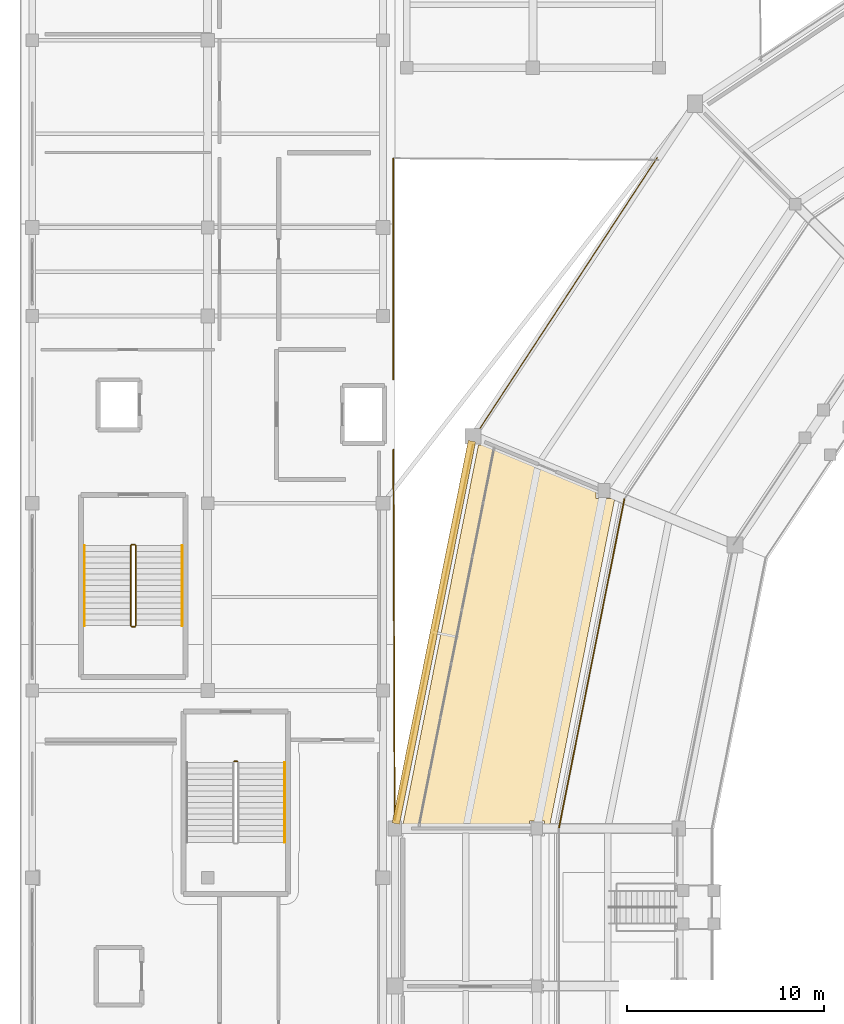
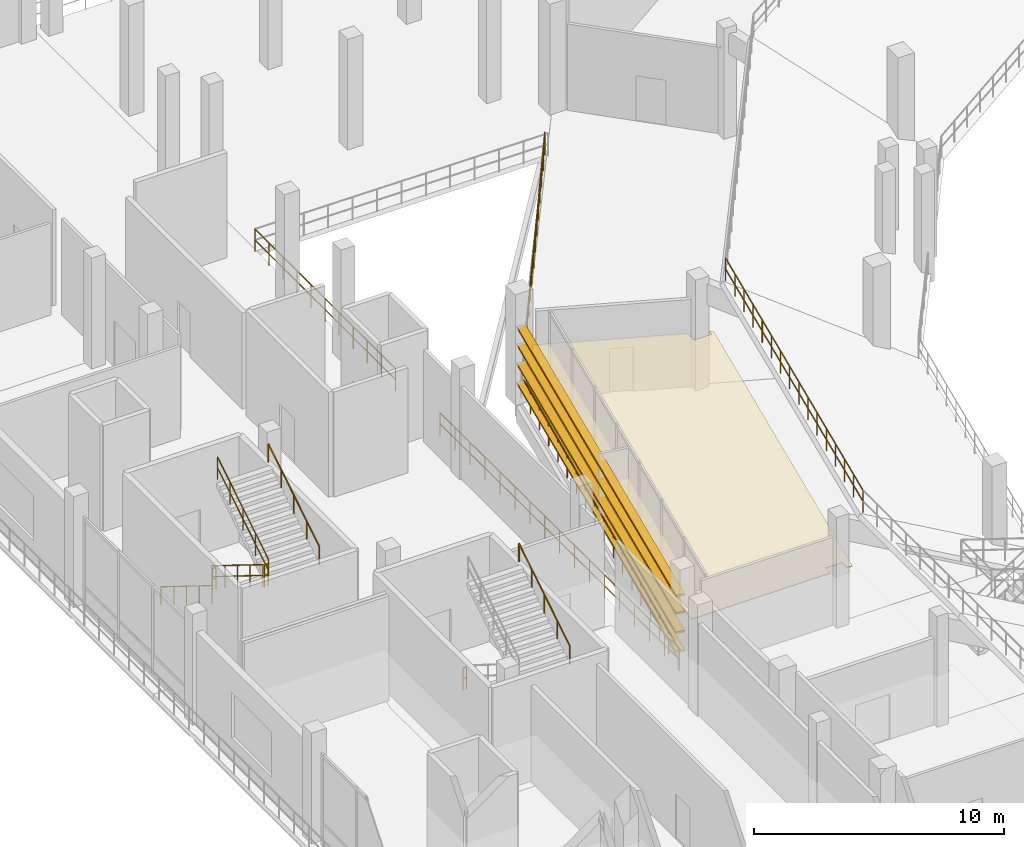
# One storey, part 107 of 127: 13 railings, 4 shading devices, 1 covering.
"""IFC4 building model written with IfcOpenShell, lengths in metres."""

from ifc_helpers import new_model, si_unit, direction, frame, origin, origin_2d, place, context, subcontext, project, spatial, polyline, rectangle, circle, outline, extrude, material, layer, layer_set, type_object, element, save


model = new_model("IFC4")

# Units and contexts
model_context = context("Model", 3, precision=1e-05, world=origin(), true_north=direction((0.0, 1.0)))
body_context = subcontext(model_context, "Body", "Model", "MODEL_VIEW")
ifc_project = project(units=[si_unit("LENGTHUNIT", "METRE"), si_unit("AREAUNIT", "SQUARE_METRE"), si_unit("VOLUMEUNIT", "CUBIC_METRE"), si_unit("PLANEANGLEUNIT", "RADIAN"), si_unit("MASSUNIT", "GRAM", prefix="KILO")], contexts=[model_context])

# Site, building, storey
site_placement = place(None, origin())
site = spatial("IfcSite", under=ifc_project, at=site_placement, CompositionType="ELEMENT")
building_placement = place(site_placement, origin())
building = spatial("IfcBuilding", under=site, at=building_placement, Name="Candeia Ridge Stadium", CompositionType="ELEMENT")
storey_placement = place(building_placement, frame((0.0, 0.0, 10.800048828125)))
storey = spatial("IfcBuildingStorey", under=building, at=storey_placement, Name="L02", CompositionType="ELEMENT", Elevation=10.800048828125)

# Covering
ifc_material_1 = material(Name="Western Red Cedar Acoustic Slat", Category="wood")
ifc_layer_1 = layer(ifc_material_1, 0.044921875, Name="Western Red Cedar Acoustic Slat", Category="wood")
ifc_layer_set_1 = layer_set([ifc_layer_1], Name="Western Red Cedar Acoustic Slat")
covering_type = type_object("IfcCoveringType", Name="Slatted Cedar Acoustic Ceiling 45", PredefinedType="CEILING", material=ifc_layer_set_1)
covering_placement = place(storey_placement, frame((0.0, 0.0, 2.510009765625)))
element("IfcCovering", 1, at=covering_placement, inside=storey, type_object=covering_type, Name="Acoustic ceiling Club Hospitality Suite L02-11", PredefinedType="CEILING", context=body_context, shape_type="SweptSolid", body=[
    extrude(outline(polyline([(26.82763671875, 94.988525390625), (26.826416015625, 94.98583984375), (26.824951171875, 94.9833984375), (26.8232421875, 94.98095703125), (26.8212890625, 94.978759765625), (26.819091796875, 94.976806640625), (26.816650390625, 94.97509765625), (26.814208984375, 94.973388671875), (26.8115234375, 94.972412109375), (26.80859375, 94.97119140625), (26.805908203125, 94.970703125), (26.802978515625, 94.97021484375), (26.800048828125, 94.969970703125), (26.580078125, 94.969970703125), (26.580078125, 95.3798828125), (25.820068359375, 95.3798828125), (25.820068359375, 94.969970703125), (19.419921875, 94.969970703125), (19.419921875, 95.25439453125), (23.240234375, 114.45947265625), (23.398193359375, 114.45947265625), (23.398193359375, 114.70654296875), (29.210205078125, 112.299072265625), (29.210205078125, 111.744140625), (30.01025390625, 111.744140625), (30.01025390625, 111.9677734375), (30.160400390625, 111.905517578125), (30.16162109375, 111.905029296875), (30.16357421875, 111.904541015625), (30.16650390625, 111.90380859375), (30.169189453125, 111.902587890625), (30.171630859375, 111.9013671875), (30.174072265625, 111.89990234375), (30.17626953125, 111.898193359375), (30.178466796875, 111.89599609375), (30.180419921875, 111.89404296875), (30.181884765625, 111.8916015625), (30.183349609375, 111.88916015625), (30.1845703125, 111.886474609375), (30.185546875, 111.8837890625), (30.186279296875, 111.881103515625), (30.1865234375, 111.878173828125), (30.186767578125, 111.875244140625), (30.1865234375, 111.872314453125), (30.18603515625, 111.869384765625), (26.829345703125, 94.994140625), (26.82861328125, 94.9912109375), (26.82763671875, 94.988525390625)])), origin(), (0.0, 0.0, 1.0), 0.0400390625),
])

# Railings
ifc_material_2 = material(Name="Galvanized Powder-Coated Steel", Category="steel")
ifc_layer_2 = layer(ifc_material_2, 0.074951171875, Name="Galvanized Powder-Coated Steel", Category="steel")
ifc_layer_set_2 = layer_set([ifc_layer_2], Name="Galvanized Powder-Coated Steel")
railing_type_1 = type_object("IfcRailingType", Name="Spectator Bowl Front Guardrail 1120", PredefinedType="GUARDRAIL", material=ifc_layer_set_2)
railing_1_placement = place(storey_placement, frame((30.64501953125, 111.715576171875, 4.949951171875)))
element("IfcRailing", 2, at=railing_1_placement, inside=storey, type_object=railing_type_1, Name="Stand T2 rear safety guardrail bay 11", PredefinedType="GUARDRAIL", context=body_context, shape_type="SweptSolid", body=[
    extrude(circle(Radius=0.02392578125, at=origin_2d()), frame((0.0, 0.0, 1.09619140625), z_axis=(-0.195091244467, -0.980785096916, 0.0), x_axis=(0.980785096916, -0.195091244467, 0.0)), (0.0, 0.0, 1.0), 17.04296875),
    extrude(circle(Radius=0.02392578125, at=origin_2d()), frame((0.0, 0.0, 0.56005859375), z_axis=(-0.195091244467, -0.980785096916, 0.0), x_axis=(0.980785096916, -0.195091244467, 0.0)), (0.0, 0.0, 1.0), 17.04296875),
    extrude(circle(Radius=0.02099609375, at=origin_2d()), origin(), (0.0, 0.0, 1.0), 1.072021484375),
    extrude(circle(Radius=0.02099609375, at=origin_2d()), frame((-0.2216796875, -1.1142578125, 0.0)), (0.0, 0.0, 1.0), 1.072021484375),
    extrude(circle(Radius=0.02099609375, at=origin_2d()), frame((-0.443359375, -2.228759765625, 0.0)), (0.0, 0.0, 1.0), 1.072021484375),
    extrude(circle(Radius=0.02099609375, at=origin_2d()), frame((-0.6650390625, -3.343017578125, 0.0)), (0.0, 0.0, 1.0), 1.072021484375),
    extrude(circle(Radius=0.02099609375, at=origin_2d()), frame((-0.88671875, -4.45751953125, 0.0)), (0.0, 0.0, 1.0), 1.072021484375),
    extrude(circle(Radius=0.02099609375, at=origin_2d()), frame((-1.1083984375, -5.57177734375, 0.0)), (0.0, 0.0, 1.0), 1.072021484375),
    extrude(circle(Radius=0.02099609375, at=origin_2d()), frame((-1.330078125, -6.686279296875, 0.0)), (0.0, 0.0, 1.0), 1.072021484375),
    extrude(circle(Radius=0.02099609375, at=origin_2d()), frame((-1.5517578125, -7.800537109375, 0.0)), (0.0, 0.0, 1.0), 1.072021484375),
    extrude(circle(Radius=0.02099609375, at=origin_2d()), frame((-1.773193359375, -8.9150390625, 0.0)), (0.0, 0.0, 1.0), 1.072021484375),
    extrude(circle(Radius=0.02099609375, at=origin_2d()), frame((-1.994873046875, -10.029296875, 0.0)), (0.0, 0.0, 1.0), 1.072021484375),
    extrude(circle(Radius=0.02099609375, at=origin_2d()), frame((-2.216552734375, -11.143798828125, 0.0)), (0.0, 0.0, 1.0), 1.072021484375),
    extrude(circle(Radius=0.02099609375, at=origin_2d()), frame((-2.438232421875, -12.258056640625, 0.0)), (0.0, 0.0, 1.0), 1.072021484375),
    extrude(circle(Radius=0.02099609375, at=origin_2d()), frame((-2.659912109375, -13.37255859375, 0.0)), (0.0, 0.0, 1.0), 1.072021484375),
    extrude(circle(Radius=0.02099609375, at=origin_2d()), frame((-2.881591796875, -14.48681640625, 0.0)), (0.0, 0.0, 1.0), 1.072021484375),
    extrude(circle(Radius=0.02099609375, at=origin_2d()), frame((-3.103271484375, -15.601318359375, 0.0)), (0.0, 0.0, 1.0), 1.072021484375),
    extrude(circle(Radius=0.02099609375, at=origin_2d()), frame((-3.324951171875, -16.715576171875, 0.0)), (0.0, 0.0, 1.0), 1.072021484375),
])
railing_2_placement = place(storey_placement, frame((18.919921875, 129.0, 0.0)))
element("IfcRailing", 3, at=railing_2_placement, inside=storey, type_object=railing_type_1, Name="Deck edge safety guardrail GR-DE-L02-0136", PredefinedType="GUARDRAIL", context=body_context, shape_type="SweptSolid", body=[
    extrude(circle(Radius=0.02392578125, at=origin_2d()), frame((0.0, 0.0, 1.09619140625), z_axis=(0.0, -1.0, 0.0), x_axis=(1.0, 0.0, 0.0)), (0.0, 0.0, 1.0), 11.215087890625),
    extrude(circle(Radius=0.02392578125, at=origin_2d()), frame((0.0, 0.0, 0.56005859375), z_axis=(0.0, -1.0, 0.0), x_axis=(1.0, 0.0, 0.0)), (0.0, 0.0, 1.0), 11.215087890625),
    extrude(circle(Radius=0.02099609375, at=origin_2d()), origin(), (0.0, 0.0, 1.0), 1.072021484375),
    extrude(circle(Radius=0.02099609375, at=origin_2d()), frame((0.0, -1.12158203125, 0.0)), (0.0, 0.0, 1.0), 1.072021484375),
    extrude(circle(Radius=0.02099609375, at=origin_2d()), frame((0.0, -2.242919921875, 0.0)), (0.0, 0.0, 1.0), 1.072021484375),
    extrude(circle(Radius=0.02099609375, at=origin_2d()), frame((0.0, -3.364501953125, 0.0)), (0.0, 0.0, 1.0), 1.072021484375),
    extrude(circle(Radius=0.02099609375, at=origin_2d()), frame((0.0, -4.486083984375, 0.0)), (0.0, 0.0, 1.0), 1.072021484375),
    extrude(circle(Radius=0.02099609375, at=origin_2d()), frame((0.0, -5.607421875, 0.0)), (0.0, 0.0, 1.0), 1.072021484375),
    extrude(circle(Radius=0.02099609375, at=origin_2d()), frame((0.0, -6.72900390625, 0.0)), (0.0, 0.0, 1.0), 1.072021484375),
    extrude(circle(Radius=0.02099609375, at=origin_2d()), frame((0.0, -7.8505859375, 0.0)), (0.0, 0.0, 1.0), 1.072021484375),
    extrude(circle(Radius=0.02099609375, at=origin_2d()), frame((0.0, -8.97216796875, 0.0)), (0.0, 0.0, 1.0), 1.072021484375),
    extrude(circle(Radius=0.02099609375, at=origin_2d()), frame((0.0, -10.093505859375, 0.0)), (0.0, 0.0, 1.0), 1.072021484375),
    extrude(circle(Radius=0.02099609375, at=origin_2d()), frame((0.0, -11.215087890625, 0.0)), (0.0, 0.0, 1.0), 1.072021484375),
])
railing_3_placement = place(storey_placement, frame((18.919921875, 114.215087890625, 0.0)))
element("IfcRailing", 4, at=railing_3_placement, inside=storey, type_object=railing_type_1, Name="Deck edge safety guardrail GR-DE-L02-0137", PredefinedType="GUARDRAIL", context=body_context, shape_type="SweptSolid", body=[
    extrude(circle(Radius=0.02392578125, at=origin_2d()), frame((0.0, 0.0, 1.09619140625), z_axis=(0.003807193265, -0.999992752613, 0.0), x_axis=(0.999992752613, 0.003807193265, 0.0)), (0.0, 0.0, 1.0), 18.9814453125),
    extrude(circle(Radius=0.02392578125, at=origin_2d()), frame((0.0, 0.0, 0.56005859375), z_axis=(0.003807193265, -0.999992752613, 0.0), x_axis=(0.999992752613, 0.003807193265, 0.0)), (0.0, 0.0, 1.0), 18.9814453125),
    extrude(circle(Radius=0.02099609375, at=origin_2d()), origin(), (0.0, 0.0, 1.0), 1.072021484375),
    extrude(circle(Radius=0.02099609375, at=origin_2d()), frame((0.00439453125, -1.186279296875, 0.0)), (0.0, 0.0, 1.0), 1.072021484375),
    extrude(circle(Radius=0.02099609375, at=origin_2d()), frame((0.009033203125, -2.37255859375, 0.0)), (0.0, 0.0, 1.0), 1.072021484375),
    extrude(circle(Radius=0.02099609375, at=origin_2d()), frame((0.013671875, -3.55908203125, 0.0)), (0.0, 0.0, 1.0), 1.072021484375),
    extrude(circle(Radius=0.02099609375, at=origin_2d()), frame((0.01806640625, -4.745361328125, 0.0)), (0.0, 0.0, 1.0), 1.072021484375),
    extrude(circle(Radius=0.02099609375, at=origin_2d()), frame((0.0224609375, -5.931640625, 0.0)), (0.0, 0.0, 1.0), 1.072021484375),
    extrude(circle(Radius=0.02099609375, at=origin_2d()), frame((0.027099609375, -7.117919921875, 0.0)), (0.0, 0.0, 1.0), 1.072021484375),
    extrude(circle(Radius=0.02099609375, at=origin_2d()), frame((0.03173828125, -8.30419921875, 0.0)), (0.0, 0.0, 1.0), 1.072021484375),
    extrude(circle(Radius=0.02099609375, at=origin_2d()), frame((0.0361328125, -9.49072265625, 0.0)), (0.0, 0.0, 1.0), 1.072021484375),
    extrude(circle(Radius=0.02099609375, at=origin_2d()), frame((0.04052734375, -10.677001953125, 0.0)), (0.0, 0.0, 1.0), 1.072021484375),
    extrude(circle(Radius=0.02099609375, at=origin_2d()), frame((0.045166015625, -11.86328125, 0.0)), (0.0, 0.0, 1.0), 1.072021484375),
    extrude(circle(Radius=0.02099609375, at=origin_2d()), frame((0.0498046875, -13.049560546875, 0.0)), (0.0, 0.0, 1.0), 1.072021484375),
    extrude(circle(Radius=0.02099609375, at=origin_2d()), frame((0.05419921875, -14.23583984375, 0.0)), (0.0, 0.0, 1.0), 1.072021484375),
    extrude(circle(Radius=0.02099609375, at=origin_2d()), frame((0.05859375, -15.422119140625, 0.0)), (0.0, 0.0, 1.0), 1.072021484375),
    extrude(circle(Radius=0.02099609375, at=origin_2d()), frame((0.063232421875, -16.608642578125, 0.0)), (0.0, 0.0, 1.0), 1.072021484375),
    extrude(circle(Radius=0.02099609375, at=origin_2d()), frame((0.06787109375, -17.794921875, 0.0)), (0.0, 0.0, 1.0), 1.072021484375),
    extrude(circle(Radius=0.02099609375, at=origin_2d()), frame((0.072265625, -18.981201171875, 0.0)), (0.0, 0.0, 1.0), 1.072021484375),
])
railing_4_placement = place(storey_placement, frame((18.982666015625, 95.3232421875, 0.0)))
element("IfcRailing", 5, at=railing_4_placement, inside=storey, type_object=railing_type_1, Name="Deck edge safety guardrail GR-DE-L02-0138", PredefinedType="GUARDRAIL", context=body_context, shape_type="SweptSolid", body=[
    extrude(circle(Radius=0.02392578125, at=origin_2d()), frame((0.0, 0.0, 1.09619140625), z_axis=(0.202662673924, 0.97924861021, 0.0), x_axis=(-0.97924861021, 0.202662673924, 0.0)), (0.0, 0.0, 1.0), 19.945556640625),
    extrude(circle(Radius=0.02392578125, at=origin_2d()), frame((0.0, 0.0, 0.56005859375), z_axis=(0.202662673924, 0.97924861021, 0.0), x_axis=(-0.97924861021, 0.202662673924, 0.0)), (0.0, 0.0, 1.0), 19.945556640625),
    extrude(circle(Radius=0.02099609375, at=origin_2d()), origin(), (0.0, 0.0, 1.0), 1.072021484375),
    extrude(circle(Radius=0.02099609375, at=origin_2d()), frame((0.23779296875, 1.14892578125, 0.0)), (0.0, 0.0, 1.0), 1.072021484375),
    extrude(circle(Radius=0.02099609375, at=origin_2d()), frame((0.4755859375, 2.2978515625, 0.0)), (0.0, 0.0, 1.0), 1.072021484375),
    extrude(circle(Radius=0.02099609375, at=origin_2d()), frame((0.71337890625, 3.44677734375, 0.0)), (0.0, 0.0, 1.0), 1.072021484375),
    extrude(circle(Radius=0.02099609375, at=origin_2d()), frame((0.951171875, 4.595703125, 0.0)), (0.0, 0.0, 1.0), 1.072021484375),
    extrude(circle(Radius=0.02099609375, at=origin_2d()), frame((1.18896484375, 5.74462890625, 0.0)), (0.0, 0.0, 1.0), 1.072021484375),
    extrude(circle(Radius=0.02099609375, at=origin_2d()), frame((1.4267578125, 6.8935546875, 0.0)), (0.0, 0.0, 1.0), 1.072021484375),
    extrude(circle(Radius=0.02099609375, at=origin_2d()), frame((1.66455078125, 8.04248046875, 0.0)), (0.0, 0.0, 1.0), 1.072021484375),
    extrude(circle(Radius=0.02099609375, at=origin_2d()), frame((1.90234375, 9.19140625, 0.0)), (0.0, 0.0, 1.0), 1.072021484375),
    extrude(circle(Radius=0.02099609375, at=origin_2d()), frame((2.139892578125, 10.34033203125, 0.0)), (0.0, 0.0, 1.0), 1.072021484375),
    extrude(circle(Radius=0.02099609375, at=origin_2d()), frame((2.377685546875, 11.4892578125, 0.0)), (0.0, 0.0, 1.0), 1.072021484375),
    extrude(circle(Radius=0.02099609375, at=origin_2d()), frame((2.615478515625, 12.63818359375, 0.0)), (0.0, 0.0, 1.0), 1.072021484375),
    extrude(circle(Radius=0.02099609375, at=origin_2d()), frame((2.853271484375, 13.787109375, 0.0)), (0.0, 0.0, 1.0), 1.072021484375),
    extrude(circle(Radius=0.02099609375, at=origin_2d()), frame((3.091064453125, 14.93603515625, 0.0)), (0.0, 0.0, 1.0), 1.072021484375),
    extrude(circle(Radius=0.02099609375, at=origin_2d()), frame((3.328857421875, 16.0849609375, 0.0)), (0.0, 0.0, 1.0), 1.072021484375),
    extrude(circle(Radius=0.02099609375, at=origin_2d()), frame((3.566650390625, 17.23388671875, 0.0)), (0.0, 0.0, 1.0), 1.072021484375),
    extrude(circle(Radius=0.02099609375, at=origin_2d()), frame((3.804443359375, 18.3828125, 0.0)), (0.0, 0.0, 1.0), 1.072021484375),
    extrude(circle(Radius=0.02099609375, at=origin_2d()), frame((4.042236328125, 19.53173828125, 0.0)), (0.0, 0.0, 1.0), 1.072021484375),
])
railing_5_placement = place(storey_placement, frame((23.02490234375, 114.85498046875, 0.0)))
element("IfcRailing", 6, at=railing_5_placement, inside=storey, type_object=railing_type_1, Name="Deck edge safety guardrail GR-DE-L02-0139", PredefinedType="GUARDRAIL", context=body_context, shape_type="SweptSolid", body=[
    extrude(circle(Radius=0.02392578125, at=origin_2d()), frame((0.0, 0.0, 1.09619140625), z_axis=(0.547697653631, 0.836676329417, 0.0), x_axis=(-0.836676329417, 0.547697653631, 0.0)), (0.0, 0.0, 1.0), 16.959228515625),
    extrude(circle(Radius=0.02392578125, at=origin_2d()), frame((0.0, 0.0, 0.56005859375), z_axis=(0.547697653631, 0.836676329417, 0.0), x_axis=(-0.836676329417, 0.547697653631, 0.0)), (0.0, 0.0, 1.0), 16.959228515625),
    extrude(circle(Radius=0.02099609375, at=origin_2d()), origin(), (0.0, 0.0, 1.0), 1.072021484375),
    extrude(circle(Radius=0.02099609375, at=origin_2d()), frame((0.619140625, 0.946044921875, 0.0)), (0.0, 0.0, 1.0), 1.072021484375),
    extrude(circle(Radius=0.02099609375, at=origin_2d()), frame((1.238525390625, 1.891845703125, 0.0)), (0.0, 0.0, 1.0), 1.072021484375),
    extrude(circle(Radius=0.02099609375, at=origin_2d()), frame((1.857666015625, 2.837890625, 0.0)), (0.0, 0.0, 1.0), 1.072021484375),
    extrude(circle(Radius=0.02099609375, at=origin_2d()), frame((2.47705078125, 3.783935546875, 0.0)), (0.0, 0.0, 1.0), 1.072021484375),
    extrude(circle(Radius=0.02099609375, at=origin_2d()), frame((3.09619140625, 4.729736328125, 0.0)), (0.0, 0.0, 1.0), 1.072021484375),
    extrude(circle(Radius=0.02099609375, at=origin_2d()), frame((3.71533203125, 5.67578125, 0.0)), (0.0, 0.0, 1.0), 1.072021484375),
    extrude(circle(Radius=0.02099609375, at=origin_2d()), frame((4.334716796875, 6.621826171875, 0.0)), (0.0, 0.0, 1.0), 1.072021484375),
    extrude(circle(Radius=0.02099609375, at=origin_2d()), frame((4.953857421875, 7.567626953125, 0.0)), (0.0, 0.0, 1.0), 1.072021484375),
    extrude(circle(Radius=0.02099609375, at=origin_2d()), frame((5.5732421875, 8.513671875, 0.0)), (0.0, 0.0, 1.0), 1.072021484375),
    extrude(circle(Radius=0.02099609375, at=origin_2d()), frame((6.1923828125, 9.459716796875, 0.0)), (0.0, 0.0, 1.0), 1.072021484375),
    extrude(circle(Radius=0.02099609375, at=origin_2d()), frame((6.8115234375, 10.405517578125, 0.0)), (0.0, 0.0, 1.0), 1.072021484375),
    extrude(circle(Radius=0.02099609375, at=origin_2d()), frame((7.430908203125, 11.3515625, 0.0)), (0.0, 0.0, 1.0), 1.072021484375),
    extrude(circle(Radius=0.02099609375, at=origin_2d()), frame((8.050048828125, 12.297607421875, 0.0)), (0.0, 0.0, 1.0), 1.072021484375),
    extrude(circle(Radius=0.02099609375, at=origin_2d()), frame((8.66943359375, 13.243408203125, 0.0)), (0.0, 0.0, 1.0), 1.072021484375),
    extrude(circle(Radius=0.02099609375, at=origin_2d()), frame((9.28857421875, 14.189453125, 0.0)), (0.0, 0.0, 1.0), 1.072021484375),
])
ifc_material_3 = material(Name="Brushed Stainless Steel", Category="steel")
ifc_layer_3 = layer(ifc_material_3, 0.048095703125, Name="Brushed Stainless Steel", Category="steel")
ifc_layer_set_3 = layer_set([ifc_layer_3], Name="Brushed Stainless Steel")
railing_type_2 = type_object("IfcRailingType", Name="Stair Wall & Flight Handrail 900", PredefinedType="HANDRAIL", material=ifc_layer_set_3)
railing_6_placement = place(storey_placement, frame((3.25, 109.35009765625, 0.179931640625)))
element("IfcRailing", 7, at=railing_6_placement, inside=storey, type_object=railing_type_2, Name="L02 ST06 stair handrail 1", PredefinedType="HANDRAIL", context=body_context, shape_type="SweptSolid", body=[
    extrude(circle(Radius=0.02392578125, at=origin_2d()), frame((0.0, 0.0, 0.8759765625), z_axis=(0.0, -0.849641744969, 0.527360318194), x_axis=(1.0, 0.0, 0.0)), (0.0, 0.0, 1.0), 4.778564453125),
    extrude(circle(Radius=0.02099609375, at=origin_2d()), origin(), (0.0, 0.0, 1.0), 0.851806640625),
    extrude(circle(Radius=0.02099609375, at=origin_2d()), frame((0.0, -1.01513671875, 0.6298828125)), (0.0, 0.0, 1.0), 0.851806640625),
    extrude(circle(Radius=0.02099609375, at=origin_2d()), frame((0.0, -2.030029296875, 1.260009765625)), (0.0, 0.0, 1.0), 0.851806640625),
    extrude(circle(Radius=0.02099609375, at=origin_2d()), frame((0.0, -3.044921875, 1.89013671875)), (0.0, 0.0, 1.0), 0.851806640625),
    extrude(circle(Radius=0.02099609375, at=origin_2d()), frame((0.0, -4.06005859375, 2.52001953125)), (0.0, 0.0, 1.0), 0.851806640625),
])
for number, where, name in (
    (8, (8.199951171875, 105.2900390625, 2.8798828125), "L02 ST06 stair handrail 2"),
    (9, (13.39990234375, 94.2900390625, 2.8798828125), "L02 ST08 stair handrail 2"),
):
    element("IfcRailing", number, at=place(storey_placement, frame(where)), inside=storey, type_object=railing_type_2, Name=name, PredefinedType="HANDRAIL", context=body_context, shape_type="SweptSolid", body=[
        extrude(circle(Radius=0.02392578125, at=origin_2d()), frame((0.0, 0.0, 0.8759765625), z_axis=(0.0, 0.849641744969, 0.527360318194), x_axis=(-1.0, 0.0, 0.0)), (0.0, 0.0, 1.0), 4.778564453125),
        extrude(circle(Radius=0.02099609375, at=origin_2d()), origin(), (0.0, 0.0, 1.0), 0.851806640625),
        extrude(circle(Radius=0.02099609375, at=origin_2d()), frame((0.0, 1.01513671875, 0.6298828125)), (0.0, 0.0, 1.0), 0.851806640625),
        extrude(circle(Radius=0.02099609375, at=origin_2d()), frame((0.0, 2.030029296875, 1.260009765625)), (0.0, 0.0, 1.0), 0.851806640625),
        extrude(circle(Radius=0.02099609375, at=origin_2d()), frame((0.0, 3.044921875, 1.89013671875)), (0.0, 0.0, 1.0), 0.851806640625),
        extrude(circle(Radius=0.02099609375, at=origin_2d()), frame((0.0, 4.06005859375, 2.52001953125)), (0.0, 0.0, 1.0), 0.851806640625),
    ])
ifc_layer_4 = layer(ifc_material_2, 0.06005859375, Name="Galvanized Powder-Coated Steel", Category="steel")
ifc_layer_set_4 = layer_set([ifc_layer_4], Name="Galvanized Powder-Coated Steel")
railing_type_3 = type_object("IfcRailingType", Name="Stair Well Guardrail 1100", PredefinedType="GUARDRAIL", material=ifc_layer_set_4)
railing_7_placement = place(storey_placement, frame((5.60009765625, 109.35009765625, 0.179931640625)))
element("IfcRailing", 10, at=railing_7_placement, inside=storey, type_object=railing_type_3, Name="L02 ST06 stair guard 1", PredefinedType="GUARDRAIL", context=body_context, shape_type="SweptSolid", body=[
    extrude(circle(Radius=0.02392578125, at=origin_2d()), frame((0.0, 0.0, 1.076171875), z_axis=(0.0, -0.849641744969, 0.527360318194), x_axis=(1.0, 0.0, 0.0)), (0.0, 0.0, 1.0), 4.778564453125),
    extrude(circle(Radius=0.02392578125, at=origin_2d()), frame((0.0, 0.0, 0.550048828125), z_axis=(0.0, -0.849641744969, 0.527360318194), x_axis=(1.0, 0.0, 0.0)), (0.0, 0.0, 1.0), 4.778564453125),
    extrude(circle(Radius=0.02099609375, at=origin_2d()), origin(), (0.0, 0.0, 1.0), 1.052001953125),
    extrude(circle(Radius=0.02099609375, at=origin_2d()), frame((0.0, -1.01513671875, 0.6298828125)), (0.0, 0.0, 1.0), 1.052001953125),
    extrude(circle(Radius=0.02099609375, at=origin_2d()), frame((0.0, -2.030029296875, 1.260009765625)), (0.0, 0.0, 1.0), 1.052001953125),
    extrude(circle(Radius=0.02099609375, at=origin_2d()), frame((0.0, -3.044921875, 1.89013671875)), (0.0, 0.0, 1.0), 1.052001953125),
    extrude(circle(Radius=0.02099609375, at=origin_2d()), frame((0.0, -4.06005859375, 2.52001953125)), (0.0, 0.0, 1.0), 1.052001953125),
])
railing_8_placement = place(storey_placement, frame((5.64990234375, 105.239990234375, 2.699951171875)))
element("IfcRailing", 11, at=railing_8_placement, inside=storey, type_object=railing_type_3, Name="L02 ST06 stair guard 2", PredefinedType="GUARDRAIL", context=body_context, shape_type="SweptSolid", body=[
    extrude(circle(Radius=0.02392578125, at=origin_2d()), frame((0.0, 0.0, 1.076171875), z_axis=(1.0, 0.0, 0.0), x_axis=(0.0, 1.0, 0.0)), (0.0, 0.0, 1.0), 0.150146484375),
    extrude(circle(Radius=0.02392578125, at=origin_2d()), frame((0.0, 0.0, 0.550048828125), z_axis=(1.0, 0.0, 0.0), x_axis=(0.0, 1.0, 0.0)), (0.0, 0.0, 1.0), 0.150146484375),
    extrude(circle(Radius=0.02099609375, at=origin_2d()), origin(), (0.0, 0.0, 1.0), 1.052001953125),
    extrude(circle(Radius=0.02099609375, at=origin_2d()), frame((0.150146484375, 0.0, 0.0)), (0.0, 0.0, 1.0), 1.052001953125),
])
railing_9_placement = place(storey_placement, frame((5.85009765625, 105.2900390625, 2.8798828125)))
element("IfcRailing", 12, at=railing_9_placement, inside=storey, type_object=railing_type_3, Name="L02 ST06 stair guard 3", PredefinedType="GUARDRAIL", context=body_context, shape_type="SweptSolid", body=[
    extrude(circle(Radius=0.02392578125, at=origin_2d()), frame((0.0, 0.0, 1.076171875), z_axis=(0.0, 0.849641744969, 0.527360318194), x_axis=(-1.0, 0.0, 0.0)), (0.0, 0.0, 1.0), 4.778564453125),
    extrude(circle(Radius=0.02392578125, at=origin_2d()), frame((0.0, 0.0, 0.550048828125), z_axis=(0.0, 0.849641744969, 0.527360318194), x_axis=(-1.0, 0.0, 0.0)), (0.0, 0.0, 1.0), 4.778564453125),
    extrude(circle(Radius=0.02099609375, at=origin_2d()), origin(), (0.0, 0.0, 1.0), 1.052001953125),
    extrude(circle(Radius=0.02099609375, at=origin_2d()), frame((0.0, 1.01513671875, 0.6298828125)), (0.0, 0.0, 1.0), 1.052001953125),
    extrude(circle(Radius=0.02099609375, at=origin_2d()), frame((0.0, 2.030029296875, 1.260009765625)), (0.0, 0.0, 1.0), 1.052001953125),
    extrude(circle(Radius=0.02099609375, at=origin_2d()), frame((0.0, 3.044921875, 1.89013671875)), (0.0, 0.0, 1.0), 1.052001953125),
    extrude(circle(Radius=0.02099609375, at=origin_2d()), frame((0.0, 4.06005859375, 2.52001953125)), (0.0, 0.0, 1.0), 1.052001953125),
])
railing_10_placement = place(storey_placement, frame((5.64990234375, 109.39990234375, 0.0)))
element("IfcRailing", 13, at=railing_10_placement, inside=storey, type_object=railing_type_3, Name="L02 ST06 stair guard 4", PredefinedType="GUARDRAIL", context=body_context, shape_type="SweptSolid", body=[
    extrude(circle(Radius=0.02392578125, at=origin_2d()), frame((0.0, 0.0, 1.076171875), z_axis=(1.0, 0.0, 0.0), x_axis=(0.0, 1.0, 0.0)), (0.0, 0.0, 1.0), 0.150146484375),
    extrude(circle(Radius=0.02392578125, at=origin_2d()), frame((0.0, 0.0, 0.550048828125), z_axis=(1.0, 0.0, 0.0), x_axis=(0.0, 1.0, 0.0)), (0.0, 0.0, 1.0), 0.150146484375),
    extrude(circle(Radius=0.02099609375, at=origin_2d()), origin(), (0.0, 0.0, 1.0), 1.052001953125),
    extrude(circle(Radius=0.02099609375, at=origin_2d()), frame((0.150146484375, 0.0, 0.0)), (0.0, 0.0, 1.0), 1.052001953125),
])
railing_11_placement = place(storey_placement, frame((10.85009765625, 98.39990234375, 0.0)))
element("IfcRailing", 14, at=railing_11_placement, inside=storey, type_object=railing_type_3, Name="L02 ST08 stair guard 4", PredefinedType="GUARDRAIL", context=body_context, shape_type="SweptSolid", body=[
    extrude(circle(Radius=0.02392578125, at=origin_2d()), frame((0.0, 0.0, 1.076171875), z_axis=(1.0, 0.0, 0.0), x_axis=(0.0, 1.0, 0.0)), (0.0, 0.0, 1.0), 0.14990234375),
    extrude(circle(Radius=0.02392578125, at=origin_2d()), frame((0.0, 0.0, 0.550048828125), z_axis=(1.0, 0.0, 0.0), x_axis=(0.0, 1.0, 0.0)), (0.0, 0.0, 1.0), 0.14990234375),
    extrude(circle(Radius=0.02099609375, at=origin_2d()), origin(), (0.0, 0.0, 1.0), 1.052001953125),
    extrude(circle(Radius=0.02099609375, at=origin_2d()), frame((0.14990234375, 0.0, 0.0)), (0.0, 0.0, 1.0), 1.052001953125),
])

# Shading devices
ifc_material_4 = material(Name="Aluminium Anodized Warm Bronze", Category="aluminium")
shading_device_type = type_object("IfcShadingDeviceType", Name="Weathered Bronze Horizontal Solar Rib 380x85", PredefinedType="JALOUSIE", material=ifc_material_4)
for number, where, z_axis, x_axis, name in (
    (15, (20.979248046875, 104.94970703125, 0.8935546875), (0.0, 0.0, 1.0), (-0.195090311899, -0.980785282416, 0.0), "Weathered bronze horizontal solar rib L02 bay 11-1"),
    (16, (20.979248046875, 104.94970703125, 1.82958984375), (0.0, 0.0, 1.0), (-0.195090311899, -0.980785282416, 0.0), "Weathered bronze horizontal solar rib L02 bay 11-2"),
    (17, (20.979248046875, 104.94970703125, 2.765869140625), (0.0, 0.0, 1.0), (-0.195090311899, -0.980785282416, 0.0), "Weathered bronze horizontal solar rib L02 bay 11-3"),
    (18, (20.979248046875, 104.94970703125, 3.61669921875), (0.0, 0.0, 1.0), (-0.195090311899, -0.980785282416, 0.0), "Weathered bronze horizontal solar rib L02 bay 11-4"),
):
    element("IfcShadingDevice", number, at=place(storey_placement, frame(where, z_axis=z_axis, x_axis=x_axis)), inside=storey, type_object=shading_device_type, Name=name, PredefinedType="JALOUSIE", context=body_context, shape_type="SweptSolid", body=[
        extrude(rectangle(XDim=19.789306640625, YDim=0.3798828125, at=origin_2d()), origin(), (0.0, 0.0, 1.0), 0.0849609375),
    ])

save(model, "model.ifc")
